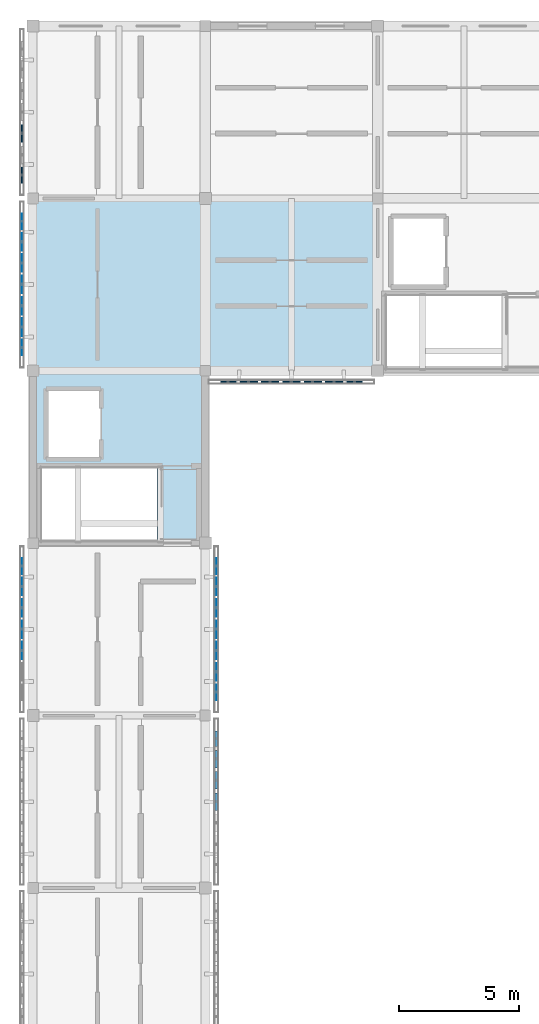
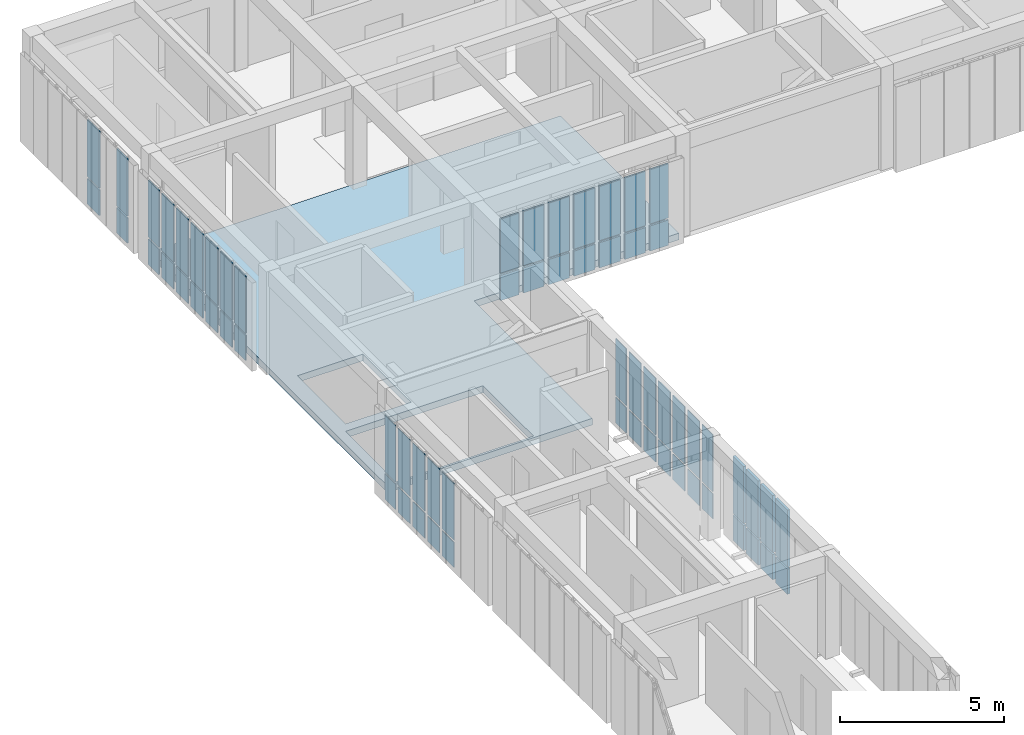
# One storey, part 8 of 14: 64 plates, 1 slab, 6 elements without a shape of their own.
"""IFC4 building model written with IfcOpenShell, lengths in metres."""

from ifc_helpers import new_model, si_unit, direction, frame, origin, origin_2d, place, context, subcontext, project, spatial, polyline, rectangle, outline, extrude, material, layer, layer_set, type_object, element, aggregate, save


model = new_model("IFC4")

# Units and contexts
model_context = context("Model", 3, precision=1e-05, world=origin(), true_north=direction((0.0, 1.0)))
body_context = subcontext(model_context, "Body", "Model", "MODEL_VIEW")
ifc_project = project(units=[si_unit("LENGTHUNIT", "METRE"), si_unit("AREAUNIT", "SQUARE_METRE"), si_unit("VOLUMEUNIT", "CUBIC_METRE"), si_unit("PLANEANGLEUNIT", "RADIAN"), si_unit("MASSUNIT", "GRAM", prefix="KILO")], contexts=[model_context])

# Site, building, storey
site_placement = place(None, origin())
site = spatial("IfcSite", under=ifc_project, at=site_placement, CompositionType="ELEMENT")
building_placement = place(site_placement, origin())
building = spatial("IfcBuilding", under=site, at=building_placement, Name="Aldebral Square Health Centre", CompositionType="ELEMENT")
storey_placement = place(building_placement, frame((0.0, 0.0, 21.60009765625)))
storey = spatial("IfcBuildingStorey", under=building, at=storey_placement, Name="L05", CompositionType="ELEMENT", Elevation=21.60009765625)

# Curtain wall, plates
ifc_material_1 = material(Name="Aluminium and low-E solar glass", Category="aluminium")
curtain_wall_type = type_object("IfcCurtainWallType", Name="CW-FIN-SYS", PredefinedType="USERDEFINED", material=ifc_material_1)
curtain_wall_1_placement = place(storey_placement, origin())
curtain_wall_1 = element("IfcCurtainWall", 1, at=curtain_wall_1_placement, inside=storey, type_object=curtain_wall_type, Name="L05 V4 finned curtain wall L05-V4-00-12-W", ObjectType="SOLAR_CURTAIN_WALL", PredefinedType="USERDEFINED")
ifc_material_2 = material(Name="Solar-control low-E double glass", Category="glass")
ifc_layer_1 = layer(ifc_material_2, 0.02001953125, Name="Solar-control low-E double glass", Category="glass")
ifc_layer_set_1 = layer_set([ifc_layer_1], Name="Solar-control low-E double glass")
plate_type_1 = type_object("IfcPlateType", Name="CWP-GLZ-1", PredefinedType="CURTAIN_PANEL", material=ifc_layer_set_1)
plate_1_placement = place(storey_placement, frame((-0.4599609375, 92.63427734375, 0.074951171875), z_axis=(0.0, 0.0, 1.0), x_axis=(0.0, -1.0, 0.0)))
plate_1 = element("IfcPlate", 2, at=plate_1_placement, type_object=plate_type_1, Name="CW1 panel 1.1", PredefinedType="CURTAIN_PANEL", context=body_context, shape_type="SweptSolid", body=[
    extrude(rectangle(XDim=0.6513671875, YDim=0.02001953125, at=origin_2d()), origin(), (0.0, 0.0, 1.0), 0.9375),
])
plate_2_placement = place(storey_placement, frame((-0.4599609375, 92.63427734375, 1.08740234375), z_axis=(0.0, 0.0, 1.0), x_axis=(0.0, -1.0, 0.0)))
plate_2 = element("IfcPlate", 3, at=plate_2_placement, type_object=plate_type_1, Name="CW1 panel 1.2", PredefinedType="CURTAIN_PANEL", context=body_context, shape_type="SweptSolid", body=[
    extrude(rectangle(XDim=0.6513671875, YDim=0.02001953125, at=origin_2d()), origin(), (0.0, 0.0, 1.0), 2.117431640625),
])
plate_3_placement = place(storey_placement, frame((-0.4599609375, 91.782958984375, 0.074951171875), z_axis=(0.0, 0.0, 1.0), x_axis=(0.0, -1.0, 0.0)))
plate_3 = element("IfcPlate", 4, at=plate_3_placement, type_object=plate_type_1, Name="CW1 panel 2.1", PredefinedType="CURTAIN_PANEL", context=body_context, shape_type="SweptSolid", body=[
    extrude(rectangle(XDim=0.7314453125, YDim=0.02001953125, at=origin_2d()), origin(), (0.0, 0.0, 1.0), 0.9375),
])
plate_4_placement = place(storey_placement, frame((-0.4599609375, 91.782958984375, 1.08740234375), z_axis=(0.0, 0.0, 1.0), x_axis=(0.0, -1.0, 0.0)))
plate_4 = element("IfcPlate", 5, at=plate_4_placement, type_object=plate_type_1, Name="CW1 panel 2.2", PredefinedType="CURTAIN_PANEL", context=body_context, shape_type="SweptSolid", body=[
    extrude(rectangle(XDim=0.7314453125, YDim=0.02001953125, at=origin_2d()), origin(), (0.0, 0.0, 1.0), 2.117431640625),
])
plate_5_placement = place(storey_placement, frame((-0.4599609375, 90.891357421875, 0.074951171875), z_axis=(0.0, 0.0, 1.0), x_axis=(0.0, -1.0, 0.0)))
plate_5 = element("IfcPlate", 6, at=plate_5_placement, type_object=plate_type_1, Name="CW1 panel 3.1", PredefinedType="CURTAIN_PANEL", context=body_context, shape_type="SweptSolid", body=[
    extrude(rectangle(XDim=0.7314453125, YDim=0.02001953125, at=origin_2d()), origin(), (0.0, 0.0, 1.0), 0.9375),
])
plate_6_placement = place(storey_placement, frame((-0.4599609375, 90.891357421875, 1.08740234375), z_axis=(0.0, 0.0, 1.0), x_axis=(0.0, -1.0, 0.0)))
plate_6 = element("IfcPlate", 7, at=plate_6_placement, type_object=plate_type_1, Name="CW1 panel 3.2", PredefinedType="CURTAIN_PANEL", context=body_context, shape_type="SweptSolid", body=[
    extrude(rectangle(XDim=0.7314453125, YDim=0.02001953125, at=origin_2d()), origin(), (0.0, 0.0, 1.0), 2.117431640625),
])
plate_7_placement = place(storey_placement, frame((-0.4599609375, 90.0, 0.074951171875), z_axis=(0.0, 0.0, 1.0), x_axis=(0.0, -1.0, 0.0)))
plate_7 = element("IfcPlate", 8, at=plate_7_placement, type_object=plate_type_1, Name="CW1 panel 4.1", PredefinedType="CURTAIN_PANEL", context=body_context, shape_type="SweptSolid", body=[
    extrude(rectangle(XDim=0.7314453125, YDim=0.02001953125, at=origin_2d()), origin(), (0.0, 0.0, 1.0), 0.9375),
])
plate_8_placement = place(storey_placement, frame((-0.4599609375, 90.0, 1.08740234375), z_axis=(0.0, 0.0, 1.0), x_axis=(0.0, -1.0, 0.0)))
plate_8 = element("IfcPlate", 9, at=plate_8_placement, type_object=plate_type_1, Name="CW1 panel 4.2", PredefinedType="CURTAIN_PANEL", context=body_context, shape_type="SweptSolid", body=[
    extrude(rectangle(XDim=0.7314453125, YDim=0.02001953125, at=origin_2d()), origin(), (0.0, 0.0, 1.0), 2.117431640625),
])
plate_9_placement = place(storey_placement, frame((-0.4599609375, 89.108642578125, 0.074951171875), z_axis=(0.0, 0.0, 1.0), x_axis=(0.0, -1.0, 0.0)))
plate_9 = element("IfcPlate", 10, at=plate_9_placement, type_object=plate_type_1, Name="CW1 panel 5.1", PredefinedType="CURTAIN_PANEL", context=body_context, shape_type="SweptSolid", body=[
    extrude(rectangle(XDim=0.7314453125, YDim=0.02001953125, at=origin_2d()), origin(), (0.0, 0.0, 1.0), 0.9375),
])
plate_10_placement = place(storey_placement, frame((-0.4599609375, 89.108642578125, 1.08740234375), z_axis=(0.0, 0.0, 1.0), x_axis=(0.0, -1.0, 0.0)))
plate_10 = element("IfcPlate", 11, at=plate_10_placement, type_object=plate_type_1, Name="CW1 panel 5.2", PredefinedType="CURTAIN_PANEL", context=body_context, shape_type="SweptSolid", body=[
    extrude(rectangle(XDim=0.7314453125, YDim=0.02001953125, at=origin_2d()), origin(), (0.0, 0.0, 1.0), 2.117431640625),
])
aggregate(curtain_wall_1, [plate_1, plate_2, plate_3, plate_4, plate_5, plate_6, plate_7, plate_8, plate_9, plate_10])

curtain_wall_2_placement = place(storey_placement, origin())
curtain_wall_2 = element("IfcCurtainWall", 12, at=curtain_wall_2_placement, inside=storey, type_object=curtain_wall_type, Name="L05 V4 finned curtain wall L05-V4-00-12-E", ObjectType="SOLAR_CURTAIN_WALL", PredefinedType="USERDEFINED")
ifc_layer_2 = layer(ifc_material_2, 0.030029296875, Name="Solar-control low-E double glass", Category="glass")
ifc_layer_set_2 = layer_set([ifc_layer_2], Name="Solar-control low-E double glass")
plate_type_2 = type_object("IfcPlateType", Name="CWP-GLZ-2", PredefinedType="CURTAIN_PANEL", material=ifc_layer_set_2)
plate_11_placement = place(storey_placement, frame((7.659912109375, 87.36572265625, 0.074951171875), z_axis=(0.0, 0.0, 1.0), x_axis=(0.0, 1.0, 0.0)))
plate_11 = element("IfcPlate", 13, at=plate_11_placement, type_object=plate_type_2, Name="CW1 panel 1.1", PredefinedType="CURTAIN_PANEL", context=body_context, shape_type="SweptSolid", body=[
    extrude(rectangle(XDim=0.6513671875, YDim=0.030029296875, at=origin_2d()), origin(), (0.0, 0.0, 1.0), 0.9375),
])
plate_12_placement = place(storey_placement, frame((7.659912109375, 87.36572265625, 1.08740234375), z_axis=(0.0, 0.0, 1.0), x_axis=(0.0, 1.0, 0.0)))
plate_12 = element("IfcPlate", 14, at=plate_12_placement, type_object=plate_type_2, Name="CW1 panel 1.2", PredefinedType="CURTAIN_PANEL", context=body_context, shape_type="SweptSolid", body=[
    extrude(rectangle(XDim=0.6513671875, YDim=0.030029296875, at=origin_2d()), origin(), (0.0, 0.0, 1.0), 2.117431640625),
])
plate_13_placement = place(storey_placement, frame((7.659912109375, 88.217041015625, 0.074951171875), z_axis=(0.0, 0.0, 1.0), x_axis=(0.0, 1.0, 0.0)))
plate_13 = element("IfcPlate", 15, at=plate_13_placement, type_object=plate_type_2, Name="CW1 panel 2.1", PredefinedType="CURTAIN_PANEL", context=body_context, shape_type="SweptSolid", body=[
    extrude(rectangle(XDim=0.7314453125, YDim=0.030029296875, at=origin_2d()), origin(), (0.0, 0.0, 1.0), 0.9375),
])
plate_14_placement = place(storey_placement, frame((7.659912109375, 88.217041015625, 1.08740234375), z_axis=(0.0, 0.0, 1.0), x_axis=(0.0, 1.0, 0.0)))
plate_14 = element("IfcPlate", 16, at=plate_14_placement, type_object=plate_type_2, Name="CW1 panel 2.2", PredefinedType="CURTAIN_PANEL", context=body_context, shape_type="SweptSolid", body=[
    extrude(rectangle(XDim=0.7314453125, YDim=0.030029296875, at=origin_2d()), origin(), (0.0, 0.0, 1.0), 2.117431640625),
])
plate_15_placement = place(storey_placement, frame((7.659912109375, 89.108642578125, 0.074951171875), z_axis=(0.0, 0.0, 1.0), x_axis=(0.0, 1.0, 0.0)))
plate_15 = element("IfcPlate", 17, at=plate_15_placement, type_object=plate_type_2, Name="CW1 panel 3.1", PredefinedType="CURTAIN_PANEL", context=body_context, shape_type="SweptSolid", body=[
    extrude(rectangle(XDim=0.7314453125, YDim=0.030029296875, at=origin_2d()), origin(), (0.0, 0.0, 1.0), 0.9375),
])
plate_16_placement = place(storey_placement, frame((7.659912109375, 89.108642578125, 1.08740234375), z_axis=(0.0, 0.0, 1.0), x_axis=(0.0, 1.0, 0.0)))
plate_16 = element("IfcPlate", 18, at=plate_16_placement, type_object=plate_type_2, Name="CW1 panel 3.2", PredefinedType="CURTAIN_PANEL", context=body_context, shape_type="SweptSolid", body=[
    extrude(rectangle(XDim=0.7314453125, YDim=0.030029296875, at=origin_2d()), origin(), (0.0, 0.0, 1.0), 2.117431640625),
])
plate_17_placement = place(storey_placement, frame((7.659912109375, 90.0, 0.074951171875), z_axis=(0.0, 0.0, 1.0), x_axis=(0.0, 1.0, 0.0)))
plate_17 = element("IfcPlate", 19, at=plate_17_placement, type_object=plate_type_2, Name="CW1 panel 4.1", PredefinedType="CURTAIN_PANEL", context=body_context, shape_type="SweptSolid", body=[
    extrude(rectangle(XDim=0.7314453125, YDim=0.030029296875, at=origin_2d()), origin(), (0.0, 0.0, 1.0), 0.9375),
])
plate_18_placement = place(storey_placement, frame((7.659912109375, 90.0, 1.08740234375), z_axis=(0.0, 0.0, 1.0), x_axis=(0.0, 1.0, 0.0)))
plate_18 = element("IfcPlate", 20, at=plate_18_placement, type_object=plate_type_2, Name="CW1 panel 4.2", PredefinedType="CURTAIN_PANEL", context=body_context, shape_type="SweptSolid", body=[
    extrude(rectangle(XDim=0.7314453125, YDim=0.030029296875, at=origin_2d()), origin(), (0.0, 0.0, 1.0), 2.117431640625),
])
plate_19_placement = place(storey_placement, frame((7.659912109375, 90.891357421875, 0.074951171875), z_axis=(0.0, 0.0, 1.0), x_axis=(0.0, 1.0, 0.0)))
plate_19 = element("IfcPlate", 21, at=plate_19_placement, type_object=plate_type_2, Name="CW1 panel 5.1", PredefinedType="CURTAIN_PANEL", context=body_context, shape_type="SweptSolid", body=[
    extrude(rectangle(XDim=0.7314453125, YDim=0.030029296875, at=origin_2d()), origin(), (0.0, 0.0, 1.0), 0.9375),
])
plate_20_placement = place(storey_placement, frame((7.659912109375, 90.891357421875, 1.08740234375), z_axis=(0.0, 0.0, 1.0), x_axis=(0.0, 1.0, 0.0)))
plate_20 = element("IfcPlate", 22, at=plate_20_placement, type_object=plate_type_2, Name="CW1 panel 5.2", PredefinedType="CURTAIN_PANEL", context=body_context, shape_type="SweptSolid", body=[
    extrude(rectangle(XDim=0.7314453125, YDim=0.030029296875, at=origin_2d()), origin(), (0.0, 0.0, 1.0), 2.117431640625),
])
plate_21_placement = place(storey_placement, frame((7.659912109375, 91.782958984375, 0.074951171875), z_axis=(0.0, 0.0, 1.0), x_axis=(0.0, 1.0, 0.0)))
plate_21 = element("IfcPlate", 23, at=plate_21_placement, type_object=plate_type_2, Name="CW1 panel 6.1", PredefinedType="CURTAIN_PANEL", context=body_context, shape_type="SweptSolid", body=[
    extrude(rectangle(XDim=0.7314453125, YDim=0.030029296875, at=origin_2d()), origin(), (0.0, 0.0, 1.0), 0.9375),
])
plate_22_placement = place(storey_placement, frame((7.659912109375, 91.782958984375, 1.08740234375), z_axis=(0.0, 0.0, 1.0), x_axis=(0.0, 1.0, 0.0)))
plate_22 = element("IfcPlate", 24, at=plate_22_placement, type_object=plate_type_2, Name="CW1 panel 6.2", PredefinedType="CURTAIN_PANEL", context=body_context, shape_type="SweptSolid", body=[
    extrude(rectangle(XDim=0.7314453125, YDim=0.030029296875, at=origin_2d()), origin(), (0.0, 0.0, 1.0), 2.117431640625),
])
plate_23_placement = place(storey_placement, frame((7.659912109375, 92.63427734375, 0.074951171875), z_axis=(0.0, 0.0, 1.0), x_axis=(0.0, 1.0, 0.0)))
plate_23 = element("IfcPlate", 25, at=plate_23_placement, type_object=plate_type_2, Name="CW1 panel 7.1", PredefinedType="CURTAIN_PANEL", context=body_context, shape_type="SweptSolid", body=[
    extrude(rectangle(XDim=0.6513671875, YDim=0.030029296875, at=origin_2d()), origin(), (0.0, 0.0, 1.0), 0.9375),
])
plate_24_placement = place(storey_placement, frame((7.659912109375, 92.63427734375, 1.08740234375), z_axis=(0.0, 0.0, 1.0), x_axis=(0.0, 1.0, 0.0)))
plate_24 = element("IfcPlate", 26, at=plate_24_placement, type_object=plate_type_2, Name="CW1 panel 7.2", PredefinedType="CURTAIN_PANEL", context=body_context, shape_type="SweptSolid", body=[
    extrude(rectangle(XDim=0.6513671875, YDim=0.030029296875, at=origin_2d()), origin(), (0.0, 0.0, 1.0), 2.117431640625),
])
aggregate(curtain_wall_2, [plate_11, plate_12, plate_13, plate_14, plate_15, plate_16, plate_17, plate_18, plate_19, plate_20, plate_21, plate_22, plate_23, plate_24])

curtain_wall_3_placement = place(storey_placement, origin())
curtain_wall_3 = element("IfcCurtainWall", 27, at=curtain_wall_3_placement, inside=storey, type_object=curtain_wall_type, Name="L05 V4 finned curtain wall L05-V4-00-14-W", ObjectType="SOLAR_CURTAIN_WALL", PredefinedType="USERDEFINED")
ifc_layer_3 = layer(ifc_material_2, 0.0400390625, Name="Solar-control low-E double glass", Category="glass")
ifc_layer_set_3 = layer_set([ifc_layer_3], Name="Solar-control low-E double glass")
plate_type_3 = type_object("IfcPlateType", Name="CWP-GLZ-3", PredefinedType="CURTAIN_PANEL", material=ifc_layer_set_3)
plate_25_placement = place(storey_placement, frame((-0.4599609375, 107.0341796875, 0.074951171875), z_axis=(0.0, 0.0, 1.0), x_axis=(0.0, -1.0, 0.0)))
plate_25 = element("IfcPlate", 28, at=plate_25_placement, type_object=plate_type_3, Name="CW1 panel 1.1", PredefinedType="CURTAIN_PANEL", context=body_context, shape_type="SweptSolid", body=[
    extrude(rectangle(XDim=0.6513671875, YDim=0.0400390625, at=origin_2d()), origin(), (0.0, 0.0, 1.0), 0.9375),
])
plate_26_placement = place(storey_placement, frame((-0.4599609375, 107.0341796875, 1.08740234375), z_axis=(0.0, 0.0, 1.0), x_axis=(0.0, -1.0, 0.0)))
plate_26 = element("IfcPlate", 29, at=plate_26_placement, type_object=plate_type_3, Name="CW1 panel 1.2", PredefinedType="CURTAIN_PANEL", context=body_context, shape_type="SweptSolid", body=[
    extrude(rectangle(XDim=0.6513671875, YDim=0.0400390625, at=origin_2d()), origin(), (0.0, 0.0, 1.0), 2.117431640625),
])
plate_27_placement = place(storey_placement, frame((-0.4599609375, 106.182861328125, 0.074951171875), z_axis=(0.0, 0.0, 1.0), x_axis=(0.0, -1.0, 0.0)))
plate_27 = element("IfcPlate", 30, at=plate_27_placement, type_object=plate_type_3, Name="CW1 panel 2.1", PredefinedType="CURTAIN_PANEL", context=body_context, shape_type="SweptSolid", body=[
    extrude(rectangle(XDim=0.7314453125, YDim=0.0400390625, at=origin_2d()), origin(), (0.0, 0.0, 1.0), 0.9375),
])
plate_28_placement = place(storey_placement, frame((-0.4599609375, 106.182861328125, 1.08740234375), z_axis=(0.0, 0.0, 1.0), x_axis=(0.0, -1.0, 0.0)))
plate_28 = element("IfcPlate", 31, at=plate_28_placement, type_object=plate_type_3, Name="CW1 panel 2.2", PredefinedType="CURTAIN_PANEL", context=body_context, shape_type="SweptSolid", body=[
    extrude(rectangle(XDim=0.7314453125, YDim=0.0400390625, at=origin_2d()), origin(), (0.0, 0.0, 1.0), 2.117431640625),
])
plate_29_placement = place(storey_placement, frame((-0.4599609375, 105.29150390625, 0.074951171875), z_axis=(0.0, 0.0, 1.0), x_axis=(0.0, -1.0, 0.0)))
plate_29 = element("IfcPlate", 32, at=plate_29_placement, type_object=plate_type_3, Name="CW1 panel 3.1", PredefinedType="CURTAIN_PANEL", context=body_context, shape_type="SweptSolid", body=[
    extrude(rectangle(XDim=0.7314453125, YDim=0.0400390625, at=origin_2d()), origin(), (0.0, 0.0, 1.0), 0.9375),
])
plate_30_placement = place(storey_placement, frame((-0.4599609375, 105.29150390625, 1.08740234375), z_axis=(0.0, 0.0, 1.0), x_axis=(0.0, -1.0, 0.0)))
plate_30 = element("IfcPlate", 33, at=plate_30_placement, type_object=plate_type_3, Name="CW1 panel 3.2", PredefinedType="CURTAIN_PANEL", context=body_context, shape_type="SweptSolid", body=[
    extrude(rectangle(XDim=0.7314453125, YDim=0.0400390625, at=origin_2d()), origin(), (0.0, 0.0, 1.0), 2.117431640625),
])
plate_31_placement = place(storey_placement, frame((-0.4599609375, 104.39990234375, 0.074951171875), z_axis=(0.0, 0.0, 1.0), x_axis=(0.0, -1.0, 0.0)))
plate_31 = element("IfcPlate", 34, at=plate_31_placement, type_object=plate_type_3, Name="CW1 panel 4.1", PredefinedType="CURTAIN_PANEL", context=body_context, shape_type="SweptSolid", body=[
    extrude(rectangle(XDim=0.7314453125, YDim=0.0400390625, at=origin_2d()), origin(), (0.0, 0.0, 1.0), 0.9375),
])
plate_32_placement = place(storey_placement, frame((-0.4599609375, 104.39990234375, 1.08740234375), z_axis=(0.0, 0.0, 1.0), x_axis=(0.0, -1.0, 0.0)))
plate_32 = element("IfcPlate", 35, at=plate_32_placement, type_object=plate_type_3, Name="CW1 panel 4.2", PredefinedType="CURTAIN_PANEL", context=body_context, shape_type="SweptSolid", body=[
    extrude(rectangle(XDim=0.7314453125, YDim=0.0400390625, at=origin_2d()), origin(), (0.0, 0.0, 1.0), 2.117431640625),
])
plate_33_placement = place(storey_placement, frame((-0.4599609375, 103.508544921875, 0.074951171875), z_axis=(0.0, 0.0, 1.0), x_axis=(0.0, -1.0, 0.0)))
plate_33 = element("IfcPlate", 36, at=plate_33_placement, type_object=plate_type_3, Name="CW1 panel 5.1", PredefinedType="CURTAIN_PANEL", context=body_context, shape_type="SweptSolid", body=[
    extrude(rectangle(XDim=0.7314453125, YDim=0.0400390625, at=origin_2d()), origin(), (0.0, 0.0, 1.0), 0.9375),
])
plate_34_placement = place(storey_placement, frame((-0.4599609375, 103.508544921875, 1.08740234375), z_axis=(0.0, 0.0, 1.0), x_axis=(0.0, -1.0, 0.0)))
plate_34 = element("IfcPlate", 37, at=plate_34_placement, type_object=plate_type_3, Name="CW1 panel 5.2", PredefinedType="CURTAIN_PANEL", context=body_context, shape_type="SweptSolid", body=[
    extrude(rectangle(XDim=0.7314453125, YDim=0.0400390625, at=origin_2d()), origin(), (0.0, 0.0, 1.0), 2.117431640625),
])
plate_35_placement = place(storey_placement, frame((-0.4599609375, 102.6171875, 0.074951171875), z_axis=(0.0, 0.0, 1.0), x_axis=(0.0, -1.0, 0.0)))
plate_35 = element("IfcPlate", 38, at=plate_35_placement, type_object=plate_type_3, Name="CW1 panel 6.1", PredefinedType="CURTAIN_PANEL", context=body_context, shape_type="SweptSolid", body=[
    extrude(rectangle(XDim=0.7314453125, YDim=0.0400390625, at=origin_2d()), origin(), (0.0, 0.0, 1.0), 0.9375),
])
plate_36_placement = place(storey_placement, frame((-0.4599609375, 102.6171875, 1.08740234375), z_axis=(0.0, 0.0, 1.0), x_axis=(0.0, -1.0, 0.0)))
plate_36 = element("IfcPlate", 39, at=plate_36_placement, type_object=plate_type_3, Name="CW1 panel 6.2", PredefinedType="CURTAIN_PANEL", context=body_context, shape_type="SweptSolid", body=[
    extrude(rectangle(XDim=0.7314453125, YDim=0.0400390625, at=origin_2d()), origin(), (0.0, 0.0, 1.0), 2.117431640625),
])
plate_37_placement = place(storey_placement, frame((-0.4599609375, 101.765625, 0.074951171875), z_axis=(0.0, 0.0, 1.0), x_axis=(0.0, -1.0, 0.0)))
plate_37 = element("IfcPlate", 40, at=plate_37_placement, type_object=plate_type_3, Name="CW1 panel 7.1", PredefinedType="CURTAIN_PANEL", context=body_context, shape_type="SweptSolid", body=[
    extrude(rectangle(XDim=0.6513671875, YDim=0.0400390625, at=origin_2d()), origin(), (0.0, 0.0, 1.0), 0.9375),
])
plate_38_placement = place(storey_placement, frame((-0.4599609375, 101.765625, 1.08740234375), z_axis=(0.0, 0.0, 1.0), x_axis=(0.0, -1.0, 0.0)))
plate_38 = element("IfcPlate", 41, at=plate_38_placement, type_object=plate_type_3, Name="CW1 panel 7.2", PredefinedType="CURTAIN_PANEL", context=body_context, shape_type="SweptSolid", body=[
    extrude(rectangle(XDim=0.6513671875, YDim=0.0400390625, at=origin_2d()), origin(), (0.0, 0.0, 1.0), 2.117431640625),
])
aggregate(curtain_wall_3, [plate_25, plate_26, plate_27, plate_28, plate_29, plate_30, plate_31, plate_32, plate_33, plate_34, plate_35, plate_36, plate_37, plate_38])

curtain_wall_4_placement = place(storey_placement, origin())
curtain_wall_4 = element("IfcCurtainWall", 42, at=curtain_wall_4_placement, inside=storey, type_object=curtain_wall_type, Name="L05 V4 finned curtain wall L05-V4-00-15-W", ObjectType="SOLAR_CURTAIN_WALL", PredefinedType="USERDEFINED")
ifc_layer_4 = layer(ifc_material_2, 0.050048828125, Name="Solar-control low-E double glass", Category="glass")
ifc_layer_set_4 = layer_set([ifc_layer_4], Name="Solar-control low-E double glass")
plate_type_4 = type_object("IfcPlateType", Name="CWP-GLZ-4", PredefinedType="CURTAIN_PANEL", material=ifc_layer_set_4)
plate_39_placement = place(storey_placement, frame((-0.4599609375, 110.70849609375, 0.074951171875), z_axis=(0.0, 0.0, 1.0), x_axis=(0.0, -1.0, 0.0)))
plate_39 = element("IfcPlate", 43, at=plate_39_placement, type_object=plate_type_4, Name="CW1 panel 5.1", PredefinedType="CURTAIN_PANEL", context=body_context, shape_type="SweptSolid", body=[
    extrude(rectangle(XDim=0.7314453125, YDim=0.050048828125, at=origin_2d()), origin(), (0.0, 0.0, 1.0), 0.9375),
])
plate_40_placement = place(storey_placement, frame((-0.4599609375, 110.70849609375, 1.08740234375), z_axis=(0.0, 0.0, 1.0), x_axis=(0.0, -1.0, 0.0)))
plate_40 = element("IfcPlate", 44, at=plate_40_placement, type_object=plate_type_4, Name="CW1 panel 5.2", PredefinedType="CURTAIN_PANEL", context=body_context, shape_type="SweptSolid", body=[
    extrude(rectangle(XDim=0.7314453125, YDim=0.050048828125, at=origin_2d()), origin(), (0.0, 0.0, 1.0), 2.117431640625),
])
plate_41_placement = place(storey_placement, frame((-0.4599609375, 108.9658203125, 0.074951171875), z_axis=(0.0, 0.0, 1.0), x_axis=(0.0, -1.0, 0.0)))
plate_41 = element("IfcPlate", 45, at=plate_41_placement, type_object=plate_type_4, Name="CW1 panel 7.1", PredefinedType="CURTAIN_PANEL", context=body_context, shape_type="SweptSolid", body=[
    extrude(rectangle(XDim=0.6513671875, YDim=0.050048828125, at=origin_2d()), origin(), (0.0, 0.0, 1.0), 0.9375),
])
plate_42_placement = place(storey_placement, frame((-0.4599609375, 108.9658203125, 1.08740234375), z_axis=(0.0, 0.0, 1.0), x_axis=(0.0, -1.0, 0.0)))
plate_42 = element("IfcPlate", 46, at=plate_42_placement, type_object=plate_type_4, Name="CW1 panel 7.2", PredefinedType="CURTAIN_PANEL", context=body_context, shape_type="SweptSolid", body=[
    extrude(rectangle(XDim=0.6513671875, YDim=0.050048828125, at=origin_2d()), origin(), (0.0, 0.0, 1.0), 2.117431640625),
])
aggregate(curtain_wall_4, [plate_39, plate_40, plate_41, plate_42])

curtain_wall_5_placement = place(storey_placement, origin())
curtain_wall_5 = element("IfcCurtainWall", 47, at=curtain_wall_5_placement, inside=storey, type_object=curtain_wall_type, Name="L05 V4 finned curtain wall L05-V4-01-14-S", ObjectType="SOLAR_CURTAIN_WALL", PredefinedType="USERDEFINED")
ifc_layer_5 = layer(ifc_material_2, 0.06005859375, Name="Solar-control low-E double glass", Category="glass")
ifc_layer_set_5 = layer_set([ifc_layer_5], Name="Solar-control low-E double glass")
plate_type_5 = type_object("IfcPlateType", Name="CWP-GLZ-5", PredefinedType="CURTAIN_PANEL", material=ifc_layer_set_5)
plate_43_placement = place(storey_placement, frame((8.165771484375, 100.340087890625, 0.074951171875), z_axis=(0.0, 0.0, 1.0), x_axis=(1.0, 0.0, 0.0)))
plate_43 = element("IfcPlate", 48, at=plate_43_placement, type_object=plate_type_5, Name="CW1 panel 1.1", PredefinedType="CURTAIN_PANEL", context=body_context, shape_type="SweptSolid", body=[
    extrude(rectangle(XDim=0.6513671875, YDim=0.06005859375, at=origin_2d()), origin(), (0.0, 0.0, 1.0), 0.9375),
])
plate_44_placement = place(storey_placement, frame((8.165771484375, 100.340087890625, 1.08740234375), z_axis=(0.0, 0.0, 1.0), x_axis=(1.0, 0.0, 0.0)))
plate_44 = element("IfcPlate", 49, at=plate_44_placement, type_object=plate_type_5, Name="CW1 panel 1.2", PredefinedType="CURTAIN_PANEL", context=body_context, shape_type="SweptSolid", body=[
    extrude(rectangle(XDim=0.6513671875, YDim=0.06005859375, at=origin_2d()), origin(), (0.0, 0.0, 1.0), 2.017578125),
])
plate_45_placement = place(storey_placement, frame((9.01708984375, 100.340087890625, 0.074951171875), z_axis=(0.0, 0.0, 1.0), x_axis=(1.0, 0.0, 0.0)))
plate_45 = element("IfcPlate", 50, at=plate_45_placement, type_object=plate_type_5, Name="CW1 panel 2.1", PredefinedType="CURTAIN_PANEL", context=body_context, shape_type="SweptSolid", body=[
    extrude(rectangle(XDim=0.7314453125, YDim=0.06005859375, at=origin_2d()), origin(), (0.0, 0.0, 1.0), 0.9375),
])
plate_46_placement = place(storey_placement, frame((9.01708984375, 100.340087890625, 1.08740234375), z_axis=(0.0, 0.0, 1.0), x_axis=(1.0, 0.0, 0.0)))
plate_46 = element("IfcPlate", 51, at=plate_46_placement, type_object=plate_type_5, Name="CW1 panel 2.2", PredefinedType="CURTAIN_PANEL", context=body_context, shape_type="SweptSolid", body=[
    extrude(rectangle(XDim=0.7314453125, YDim=0.06005859375, at=origin_2d()), origin(), (0.0, 0.0, 1.0), 2.017578125),
])
plate_47_placement = place(storey_placement, frame((9.90869140625, 100.340087890625, 0.074951171875), z_axis=(0.0, 0.0, 1.0), x_axis=(1.0, 0.0, 0.0)))
plate_47 = element("IfcPlate", 52, at=plate_47_placement, type_object=plate_type_5, Name="CW1 panel 3.1", PredefinedType="CURTAIN_PANEL", context=body_context, shape_type="SweptSolid", body=[
    extrude(rectangle(XDim=0.7314453125, YDim=0.06005859375, at=origin_2d()), origin(), (0.0, 0.0, 1.0), 0.9375),
])
plate_48_placement = place(storey_placement, frame((9.90869140625, 100.340087890625, 1.08740234375), z_axis=(0.0, 0.0, 1.0), x_axis=(1.0, 0.0, 0.0)))
plate_48 = element("IfcPlate", 53, at=plate_48_placement, type_object=plate_type_5, Name="CW1 panel 3.2", PredefinedType="CURTAIN_PANEL", context=body_context, shape_type="SweptSolid", body=[
    extrude(rectangle(XDim=0.7314453125, YDim=0.06005859375, at=origin_2d()), origin(), (0.0, 0.0, 1.0), 2.017578125),
])
plate_49_placement = place(storey_placement, frame((10.800048828125, 100.340087890625, 0.074951171875), z_axis=(0.0, 0.0, 1.0), x_axis=(1.0, 0.0, 0.0)))
plate_49 = element("IfcPlate", 54, at=plate_49_placement, type_object=plate_type_5, Name="CW1 panel 4.1", PredefinedType="CURTAIN_PANEL", context=body_context, shape_type="SweptSolid", body=[
    extrude(rectangle(XDim=0.7314453125, YDim=0.06005859375, at=origin_2d()), origin(), (0.0, 0.0, 1.0), 0.9375),
])
plate_50_placement = place(storey_placement, frame((10.800048828125, 100.340087890625, 1.08740234375), z_axis=(0.0, 0.0, 1.0), x_axis=(1.0, 0.0, 0.0)))
plate_50 = element("IfcPlate", 55, at=plate_50_placement, type_object=plate_type_5, Name="CW1 panel 4.2", PredefinedType="CURTAIN_PANEL", context=body_context, shape_type="SweptSolid", body=[
    extrude(rectangle(XDim=0.7314453125, YDim=0.06005859375, at=origin_2d()), origin(), (0.0, 0.0, 1.0), 2.017578125),
])
plate_51_placement = place(storey_placement, frame((11.69140625, 100.340087890625, 0.074951171875), z_axis=(0.0, 0.0, 1.0), x_axis=(1.0, 0.0, 0.0)))
plate_51 = element("IfcPlate", 56, at=plate_51_placement, type_object=plate_type_5, Name="CW1 panel 5.1", PredefinedType="CURTAIN_PANEL", context=body_context, shape_type="SweptSolid", body=[
    extrude(rectangle(XDim=0.7314453125, YDim=0.06005859375, at=origin_2d()), origin(), (0.0, 0.0, 1.0), 0.9375),
])
plate_52_placement = place(storey_placement, frame((11.69140625, 100.340087890625, 1.08740234375), z_axis=(0.0, 0.0, 1.0), x_axis=(1.0, 0.0, 0.0)))
plate_52 = element("IfcPlate", 57, at=plate_52_placement, type_object=plate_type_5, Name="CW1 panel 5.2", PredefinedType="CURTAIN_PANEL", context=body_context, shape_type="SweptSolid", body=[
    extrude(rectangle(XDim=0.7314453125, YDim=0.06005859375, at=origin_2d()), origin(), (0.0, 0.0, 1.0), 2.017578125),
])
plate_53_placement = place(storey_placement, frame((12.582763671875, 100.340087890625, 0.074951171875), z_axis=(0.0, 0.0, 1.0), x_axis=(1.0, 0.0, 0.0)))
plate_53 = element("IfcPlate", 58, at=plate_53_placement, type_object=plate_type_5, Name="CW1 panel 6.1", PredefinedType="CURTAIN_PANEL", context=body_context, shape_type="SweptSolid", body=[
    extrude(rectangle(XDim=0.7314453125, YDim=0.06005859375, at=origin_2d()), origin(), (0.0, 0.0, 1.0), 0.9375),
])
plate_54_placement = place(storey_placement, frame((12.582763671875, 100.340087890625, 1.08740234375), z_axis=(0.0, 0.0, 1.0), x_axis=(1.0, 0.0, 0.0)))
plate_54 = element("IfcPlate", 59, at=plate_54_placement, type_object=plate_type_5, Name="CW1 panel 6.2", PredefinedType="CURTAIN_PANEL", context=body_context, shape_type="SweptSolid", body=[
    extrude(rectangle(XDim=0.7314453125, YDim=0.06005859375, at=origin_2d()), origin(), (0.0, 0.0, 1.0), 2.017578125),
])
plate_55_placement = place(storey_placement, frame((13.434326171875, 100.340087890625, 0.074951171875), z_axis=(0.0, 0.0, 1.0), x_axis=(1.0, 0.0, 0.0)))
plate_55 = element("IfcPlate", 60, at=plate_55_placement, type_object=plate_type_5, Name="CW1 panel 7.1", PredefinedType="CURTAIN_PANEL", context=body_context, shape_type="SweptSolid", body=[
    extrude(rectangle(XDim=0.6513671875, YDim=0.06005859375, at=origin_2d()), origin(), (0.0, 0.0, 1.0), 0.9375),
])
plate_56_placement = place(storey_placement, frame((13.434326171875, 100.340087890625, 1.08740234375), z_axis=(0.0, 0.0, 1.0), x_axis=(1.0, 0.0, 0.0)))
plate_56 = element("IfcPlate", 61, at=plate_56_placement, type_object=plate_type_5, Name="CW1 panel 7.2", PredefinedType="CURTAIN_PANEL", context=body_context, shape_type="SweptSolid", body=[
    extrude(rectangle(XDim=0.6513671875, YDim=0.06005859375, at=origin_2d()), origin(), (0.0, 0.0, 1.0), 2.017578125),
])
aggregate(curtain_wall_5, [plate_43, plate_44, plate_45, plate_46, plate_47, plate_48, plate_49, plate_50, plate_51, plate_52, plate_53, plate_54, plate_55, plate_56])

curtain_wall_6_placement = place(storey_placement, origin())
curtain_wall_6 = element("IfcCurtainWall", 62, at=curtain_wall_6_placement, inside=storey, type_object=curtain_wall_type, Name="L05 V4 finned curtain wall L05-V4-00-11-E", ObjectType="SOLAR_CURTAIN_WALL", PredefinedType="USERDEFINED")
ifc_layer_6 = layer(ifc_material_2, 0.090087890625, Name="Solar-control low-E double glass", Category="glass")
ifc_layer_set_6 = layer_set([ifc_layer_6], Name="Solar-control low-E double glass")
plate_type_6 = type_object("IfcPlateType", Name="CWP-GLZ-8", PredefinedType="CURTAIN_PANEL", material=ifc_layer_set_6)
plate_57_placement = place(storey_placement, frame((7.659912109375, 82.800048828125, 0.074951171875), z_axis=(0.0, 0.0, 1.0), x_axis=(0.0, 1.0, 0.0)))
plate_57 = element("IfcPlate", 63, at=plate_57_placement, type_object=plate_type_6, Name="CW1 panel 4.1", PredefinedType="CURTAIN_PANEL", context=body_context, shape_type="SweptSolid", body=[
    extrude(rectangle(XDim=0.7314453125, YDim=0.090087890625, at=origin_2d()), origin(), (0.0, 0.0, 1.0), 0.9375),
])
plate_58_placement = place(storey_placement, frame((7.659912109375, 82.800048828125, 1.08740234375), z_axis=(0.0, 0.0, 1.0), x_axis=(0.0, 1.0, 0.0)))
plate_58 = element("IfcPlate", 64, at=plate_58_placement, type_object=plate_type_6, Name="CW1 panel 4.2", PredefinedType="CURTAIN_PANEL", context=body_context, shape_type="SweptSolid", body=[
    extrude(rectangle(XDim=0.7314453125, YDim=0.090087890625, at=origin_2d()), origin(), (0.0, 0.0, 1.0), 2.117431640625),
])
plate_59_placement = place(storey_placement, frame((7.659912109375, 83.69140625, 0.074951171875), z_axis=(0.0, 0.0, 1.0), x_axis=(0.0, 1.0, 0.0)))
plate_59 = element("IfcPlate", 65, at=plate_59_placement, type_object=plate_type_6, Name="CW1 panel 5.1", PredefinedType="CURTAIN_PANEL", context=body_context, shape_type="SweptSolid", body=[
    extrude(rectangle(XDim=0.7314453125, YDim=0.090087890625, at=origin_2d()), origin(), (0.0, 0.0, 1.0), 0.9375),
])
plate_60_placement = place(storey_placement, frame((7.659912109375, 83.69140625, 1.08740234375), z_axis=(0.0, 0.0, 1.0), x_axis=(0.0, 1.0, 0.0)))
plate_60 = element("IfcPlate", 66, at=plate_60_placement, type_object=plate_type_6, Name="CW1 panel 5.2", PredefinedType="CURTAIN_PANEL", context=body_context, shape_type="SweptSolid", body=[
    extrude(rectangle(XDim=0.7314453125, YDim=0.090087890625, at=origin_2d()), origin(), (0.0, 0.0, 1.0), 2.117431640625),
])
plate_61_placement = place(storey_placement, frame((7.659912109375, 84.582763671875, 0.074951171875), z_axis=(0.0, 0.0, 1.0), x_axis=(0.0, 1.0, 0.0)))
plate_61 = element("IfcPlate", 67, at=plate_61_placement, type_object=plate_type_6, Name="CW1 panel 6.1", PredefinedType="CURTAIN_PANEL", context=body_context, shape_type="SweptSolid", body=[
    extrude(rectangle(XDim=0.7314453125, YDim=0.090087890625, at=origin_2d()), origin(), (0.0, 0.0, 1.0), 0.9375),
])
plate_62_placement = place(storey_placement, frame((7.659912109375, 84.582763671875, 1.08740234375), z_axis=(0.0, 0.0, 1.0), x_axis=(0.0, 1.0, 0.0)))
plate_62 = element("IfcPlate", 68, at=plate_62_placement, type_object=plate_type_6, Name="CW1 panel 6.2", PredefinedType="CURTAIN_PANEL", context=body_context, shape_type="SweptSolid", body=[
    extrude(rectangle(XDim=0.7314453125, YDim=0.090087890625, at=origin_2d()), origin(), (0.0, 0.0, 1.0), 2.117431640625),
])
plate_63_placement = place(storey_placement, frame((7.659912109375, 85.434326171875, 0.074951171875), z_axis=(0.0, 0.0, 1.0), x_axis=(0.0, 1.0, 0.0)))
plate_63 = element("IfcPlate", 69, at=plate_63_placement, type_object=plate_type_6, Name="CW1 panel 7.1", PredefinedType="CURTAIN_PANEL", context=body_context, shape_type="SweptSolid", body=[
    extrude(rectangle(XDim=0.6513671875, YDim=0.090087890625, at=origin_2d()), origin(), (0.0, 0.0, 1.0), 0.9375),
])
plate_64_placement = place(storey_placement, frame((7.659912109375, 85.434326171875, 1.08740234375), z_axis=(0.0, 0.0, 1.0), x_axis=(0.0, 1.0, 0.0)))
plate_64 = element("IfcPlate", 70, at=plate_64_placement, type_object=plate_type_6, Name="CW1 panel 7.2", PredefinedType="CURTAIN_PANEL", context=body_context, shape_type="SweptSolid", body=[
    extrude(rectangle(XDim=0.6513671875, YDim=0.090087890625, at=origin_2d()), origin(), (0.0, 0.0, 1.0), 2.117431640625),
])
aggregate(curtain_wall_6, [plate_57, plate_58, plate_59, plate_60, plate_61, plate_62, plate_63, plate_64])

# Slab
ifc_material_3 = material(Name="Concrete C35/45", Category="concrete")
ifc_layer_7 = layer(ifc_material_3, 0.25, Name="Concrete C35/45", Category="concrete")
ifc_layer_set_7 = layer_set([ifc_layer_7], Name="Concrete C35/45")
slab_type = type_object("IfcSlabType", Name="SL-FLR-250", PredefinedType="FLOOR", material=ifc_layer_set_7)
slab_placement = place(storey_placement, frame((0.0, 0.0, -0.25)))
element("IfcSlab", 71, at=slab_placement, inside=storey, type_object=slab_type, Name="L05 V4 floor slab 3", PredefinedType="FLOOR", context=body_context, shape_type="SweptSolid", body=[
    extrude(outline(polyline([(0.0, 93.60009765625), (0.0, 100.800048828125), (0.0, 108.0), (7.199951171875, 108.0), (14.39990234375, 108.0), (14.39990234375, 100.800048828125), (7.199951171875, 100.800048828125), (7.199951171875, 93.60009765625), (0.0, 93.60009765625)]), holes=[polyline([(0.340087890625, 93.679931640625), (5.179931640625, 93.679931640625), (5.179931640625, 96.760009765625), (0.340087890625, 96.760009765625), (0.340087890625, 93.679931640625)]), polyline([(0.550048828125, 97.10009765625), (2.85009765625, 97.10009765625), (2.85009765625, 100.050048828125), (0.550048828125, 100.050048828125), (0.550048828125, 97.10009765625)])]), origin(), (0.0, 0.0, 1.0), 0.25),
])

save(model, "model.ifc")
